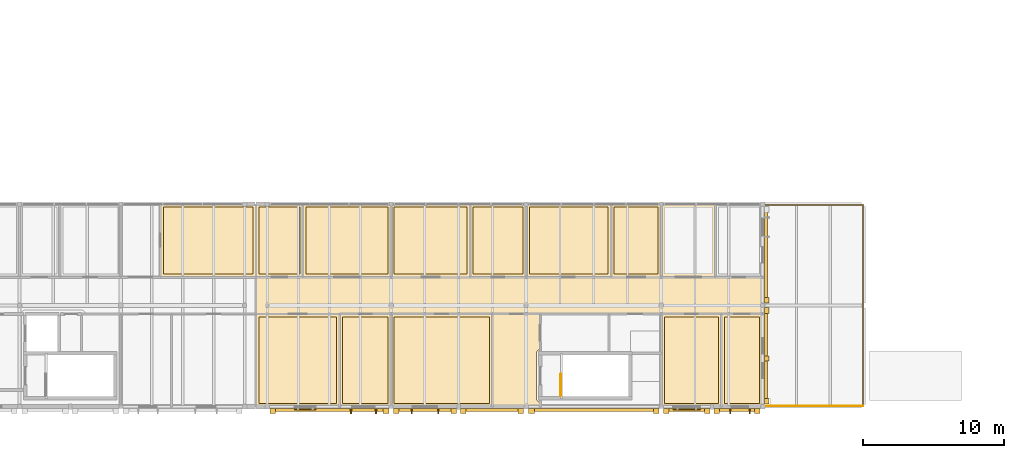
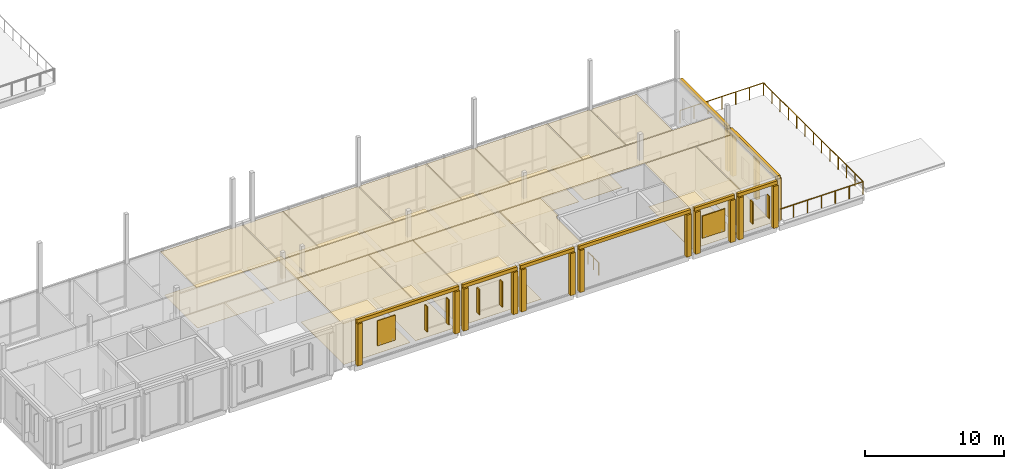
# One storey, part 55 of 57: 51 coverings, 8 shading devices, 3 railings.
"""IFC4 building model written with IfcOpenShell, lengths in metres."""

from ifc_helpers import new_model, si_unit, direction, frame, origin, origin_2d, place, context, subcontext, project, spatial, polyline, rectangle, circle, outline, extrude, material, layer, layer_set, type_object, element, save


model = new_model("IFC4")

# Units and contexts
model_context = context("Model", 3, precision=1e-05, world=origin(), true_north=direction((0.0, 1.0)))
body_context = subcontext(model_context, "Body", "Model", "MODEL_VIEW")
ifc_project = project(units=[si_unit("LENGTHUNIT", "METRE"), si_unit("AREAUNIT", "SQUARE_METRE"), si_unit("VOLUMEUNIT", "CUBIC_METRE"), si_unit("PLANEANGLEUNIT", "RADIAN"), si_unit("MASSUNIT", "GRAM", prefix="KILO")], contexts=[model_context])

# Site, building, storey
site_placement = place(None, origin())
site = spatial("IfcSite", under=ifc_project, at=site_placement, CompositionType="ELEMENT")
building_placement = place(site_placement, origin())
building = spatial("IfcBuilding", under=site, at=building_placement, Name="Hawrajan Terrace Health Centre", CompositionType="ELEMENT")
storey_placement = place(building_placement, frame((0.0, 0.0, 13.199951171875)))
storey = spatial("IfcBuildingStorey", under=building, at=storey_placement, Name="L03", CompositionType="ELEMENT", Elevation=13.199951171875)

# Coverings
ifc_material_1 = material(Name="Precast concrete C40/50", Category="concrete")
ifc_layer_1 = layer(ifc_material_1, 0.219970703125)
ifc_layer_set_1 = layer_set([ifc_layer_1], Name="Precast concrete C40/50")
covering_type_1 = type_object("IfcCoveringType", Name="ArtDecoCorniceBand", PredefinedType="CLADDING", material=ifc_layer_set_1)
covering_1_placement = place(storey_placement, frame((77.010009765625, 3.965087890625, 3.68994140625), z_axis=(0.0, 0.0, 1.0), x_axis=(1.0, 0.0, 0.0)))
element("IfcCovering", 1, at=covering_1_placement, inside=storey, type_object=covering_type_1, Name="Art Deco limestone cornice band CRN-L03-0182", PredefinedType="CLADDING", context=body_context, shape_type="SweptSolid", body=[
    extrude(rectangle(XDim=8.4599609375, YDim=0.219970703125, at=origin_2d()), origin(), (0.0, 0.0, 1.0), 0.300048828125),
])
covering_2_placement = place(storey_placement, frame((83.81005859375, 3.965087890625, 3.68994140625), z_axis=(0.0, 0.0, 1.0), x_axis=(1.0, 0.0, 0.0)))
element("IfcCovering", 2, at=covering_2_placement, inside=storey, type_object=covering_type_1, Name="Art Deco limestone cornice band CRN-L03-0183", PredefinedType="CLADDING", context=body_context, shape_type="SweptSolid", body=[
    extrude(rectangle(XDim=4.5, YDim=0.219970703125, at=origin_2d()), origin(), (0.0, 0.0, 1.0), 0.300048828125),
])
covering_3_placement = place(storey_placement, frame((88.580078125, 3.965087890625, 3.68994140625), z_axis=(0.0, 0.0, 1.0), x_axis=(1.0, 0.0, 0.0)))
element("IfcCovering", 3, at=covering_3_placement, inside=storey, type_object=covering_type_1, Name="Art Deco limestone cornice band CRN-L03-0184", PredefinedType="CLADDING", context=body_context, shape_type="SweptSolid", body=[
    extrude(rectangle(XDim=4.47998046875, YDim=0.219970703125, at=origin_2d()), origin(), (0.0, 0.0, 1.0), 0.300048828125),
])
covering_4_placement = place(storey_placement, frame((95.81005859375, 3.965087890625, 3.68994140625), z_axis=(0.0, 0.0, 1.0), x_axis=(1.0, 0.0, 0.0)))
element("IfcCovering", 4, at=covering_4_placement, inside=storey, type_object=covering_type_1, Name="Art Deco limestone cornice band CRN-L03-0185", PredefinedType="CLADDING", context=body_context, shape_type="SweptSolid", body=[
    extrude(rectangle(XDim=9.260009765625, YDim=0.219970703125, at=origin_2d()), origin(), (0.0, 0.0, 1.0), 0.300048828125),
])
covering_5_placement = place(storey_placement, frame((102.409912109375, 3.965087890625, 3.68994140625), z_axis=(0.0, 0.0, 1.0), x_axis=(1.0, 0.0, 0.0)))
element("IfcCovering", 5, at=covering_5_placement, inside=storey, type_object=covering_type_1, Name="Art Deco limestone cornice band CRN-L03-0186", PredefinedType="CLADDING", context=body_context, shape_type="SweptSolid", body=[
    extrude(rectangle(XDim=3.300048828125, YDim=0.219970703125, at=origin_2d()), origin(), (0.0, 0.0, 1.0), 0.300048828125),
])
covering_6_placement = place(storey_placement, frame((105.97998046875, 3.965087890625, 3.68994140625), z_axis=(0.0, 0.0, 1.0), x_axis=(1.0, 0.0, 0.0)))
element("IfcCovering", 6, at=covering_6_placement, inside=storey, type_object=covering_type_1, Name="Art Deco limestone cornice band CRN-L03-0187", PredefinedType="CLADDING", context=body_context, shape_type="SweptSolid", body=[
    extrude(rectangle(XDim=3.280029296875, YDim=0.219970703125, at=origin_2d()), origin(), (0.0, 0.0, 1.0), 0.300048828125),
])
for number, where, z_axis, x_axis, name in (
    (7, (108.034912109375, 7.81005859375, 3.68994140625), (0.0, 0.0, 1.0), (0.0, 1.0, 0.0), "Art Deco limestone cornice band CRN-L03-0188"),
    (8, (108.034912109375, 14.989990234375, 3.68994140625), (0.0, 0.0, 1.0), (0.0, 1.0, 0.0), "Art Deco limestone cornice band CRN-L03-0189"),
):
    element("IfcCovering", number, at=place(storey_placement, frame(where, z_axis=z_axis, x_axis=x_axis)), inside=storey, type_object=covering_type_1, Name=name, PredefinedType="CLADDING", context=body_context, shape_type="SweptSolid", body=[
        extrude(rectangle(XDim=6.860107421875, YDim=0.219970703125, at=origin_2d()), origin(), (0.0, 0.0, 1.0), 0.300048828125),
    ])
ifc_layer_2 = layer(ifc_material_1, 0.340087890625)
ifc_layer_set_2 = layer_set([ifc_layer_2], Name="Precast concrete C40/50")
covering_type_2 = type_object("IfcCoveringType", Name="ArtDecoStonePilaster", PredefinedType="CLADDING", material=ifc_layer_set_2)
for number, where, z_axis, x_axis, name in (
    (9, (72.97998046875, 3.905029296875, 0.0), (0.0, 0.0, 1.0), (1.0, 0.0, 0.0), "Art Deco fluted limestone pilaster FPIL-L03-0362"),
    (10, (81.0400390625, 3.905029296875, 0.0), (0.0, 0.0, 1.0), (1.0, 0.0, 0.0), "Art Deco fluted limestone pilaster FPIL-L03-0363"),
    (11, (81.760009765625, 3.905029296875, 0.0), (0.0, 0.0, 1.0), (1.0, 0.0, 0.0), "Art Deco fluted limestone pilaster FPIL-L03-0364"),
    (12, (85.860107421875, 3.905029296875, 0.0), (0.0, 0.0, 1.0), (1.0, 0.0, 0.0), "Art Deco fluted limestone pilaster FPIL-L03-0365"),
    (13, (86.5400390625, 3.905029296875, 0.0), (0.0, 0.0, 1.0), (1.0, 0.0, 0.0), "Art Deco fluted limestone pilaster FPIL-L03-0366"),
    (14, (90.6201171875, 3.905029296875, 0.0), (0.0, 0.0, 1.0), (1.0, 0.0, 0.0), "Art Deco fluted limestone pilaster FPIL-L03-0367"),
    (15, (91.3798828125, 3.905029296875, 0.0), (0.0, 0.0, 1.0), (1.0, 0.0, 0.0), "Art Deco fluted limestone pilaster FPIL-L03-0368"),
    (16, (100.239990234375, 3.905029296875, 0.0), (0.0, 0.0, 1.0), (1.0, 0.0, 0.0), "Art Deco fluted limestone pilaster FPIL-L03-0369"),
    (17, (100.9599609375, 3.905029296875, 0.0), (0.0, 0.0, 1.0), (1.0, 0.0, 0.0), "Art Deco fluted limestone pilaster FPIL-L03-0370"),
    (18, (103.860107421875, 3.905029296875, 0.0), (0.0, 0.0, 1.0), (1.0, 0.0, 0.0), "Art Deco fluted limestone pilaster FPIL-L03-0371"),
    (19, (104.5400390625, 3.905029296875, 0.0), (0.0, 0.0, 1.0), (1.0, 0.0, 0.0), "Art Deco fluted limestone pilaster FPIL-L03-0372"),
    (20, (107.419921875, 3.905029296875, 0.0), (0.0, 0.0, 1.0), (1.0, 0.0, 0.0), "Art Deco fluted limestone pilaster FPIL-L03-0373"),
    (21, (108.094970703125, 4.580078125, 0.0), (0.0, 0.0, 1.0), (0.0, 1.0, 0.0), "Art Deco fluted limestone pilaster FPIL-L03-0374"),
    (22, (108.094970703125, 11.0400390625, 0.0), (0.0, 0.0, 1.0), (0.0, 1.0, 0.0), "Art Deco fluted limestone pilaster FPIL-L03-0375"),
):
    element("IfcCovering", number, at=place(storey_placement, frame(where, z_axis=z_axis, x_axis=x_axis)), inside=storey, type_object=covering_type_2, Name=name, PredefinedType="CLADDING", context=body_context, shape_type="SweptSolid", body=[
        extrude(rectangle(XDim=0.39990234375, YDim=0.340087890625, at=origin_2d()), origin(), (0.0, 0.0, 1.0), 3.679931640625),
    ])
covering_7_placement = place(storey_placement, frame((108.094970703125, 7.639892578125, 0.0), z_axis=(0.0, 0.0, 1.0), x_axis=(0.0, 1.0, 0.0)))
element("IfcCovering", 23, at=covering_7_placement, inside=storey, type_object=covering_type_2, Name="Art Deco mullion pilaster FPIL-L03-0376", PredefinedType="CLADDING", context=body_context, shape_type="SweptSolid", body=[
    extrude(rectangle(XDim=0.360107421875, YDim=0.340087890625, at=origin_2d()), origin(), (0.0, 0.0, 1.0), 3.679931640625),
])
covering_8_placement = place(storey_placement, frame((108.094970703125, 11.760009765625, 0.0), z_axis=(0.0, 0.0, 1.0), x_axis=(0.0, 1.0, 0.0)))
element("IfcCovering", 24, at=covering_8_placement, inside=storey, type_object=covering_type_2, Name="Art Deco fluted limestone pilaster FPIL-L03-0377", PredefinedType="CLADDING", context=body_context, shape_type="SweptSolid", body=[
    extrude(rectangle(XDim=0.39990234375, YDim=0.340087890625, at=origin_2d()), origin(), (0.0, 0.0, 1.0), 3.679931640625),
])
ifc_material_2 = material(Name="Hygienic mineral-fibre acoustic tile ceiling")
ifc_layer_3 = layer(ifc_material_2, 0.02490234375)
ifc_layer_set_3 = layer_set([ifc_layer_3], Name="Hygienic mineral-fibre acoustic tile ceiling")
covering_type_3 = type_object("IfcCoveringType", Name="ClinicalAcousticCeiling_25", PredefinedType="CEILING", material=ifc_layer_set_3)
covering_9_placement = place(storey_placement, frame((0.0, 0.0, 3.72509765625)))
element("IfcCovering", 25, at=covering_9_placement, inside=storey, type_object=covering_type_3, Name="Suspended ceiling L03-020", PredefinedType="CEILING", context=body_context, shape_type="SweptSolid", body=[
    extrude(outline(polyline([(71.824951171875, 13.3798828125), (107.780029296875, 13.3798828125), (107.780029296875, 10.820068359375), (71.824951171875, 10.820068359375), (71.824951171875, 13.3798828125)])), origin(), (0.0, 0.0, 1.0), 0.02490234375),
])
covering_10_placement = place(storey_placement, frame((0.0, 0.0, 3.72509765625)))
element("IfcCovering", 26, at=covering_10_placement, inside=storey, type_object=covering_type_3, Name="Suspended ceiling L03-021", PredefinedType="CEILING", context=body_context, shape_type="SweptSolid", body=[
    extrude(outline(polyline([(91.97998046875, 4.219970703125), (88.6201171875, 4.219970703125), (88.6201171875, 10.780029296875), (91.97998046875, 10.780029296875), (91.97998046875, 8.26904296875), (91.974609375, 8.268798828125), (91.97265625, 8.2685546875), (91.9482421875, 8.264892578125), (91.9462890625, 8.2646484375), (91.922607421875, 8.258544921875), (91.920654296875, 8.258056640625), (91.897705078125, 8.249755859375), (91.895751953125, 8.2490234375), (91.87353515625, 8.238525390625), (91.871826171875, 8.237548828125), (91.850830078125, 8.22509765625), (91.84912109375, 8.223876953125), (91.82958984375, 8.209228515625), (91.827880859375, 8.2080078125), (91.809814453125, 8.191650390625), (91.808349609375, 8.190185546875), (91.7919921875, 8.172119140625), (91.790771484375, 8.17041015625), (91.776123046875, 8.15087890625), (91.77490234375, 8.149169921875), (91.762451171875, 8.128173828125), (91.761474609375, 8.12646484375), (91.7509765625, 8.104248046875), (91.750244140625, 8.102294921875), (91.741943359375, 8.079345703125), (91.741455078125, 8.077392578125), (91.7353515625, 8.0537109375), (91.735107421875, 8.0517578125), (91.7314453125, 8.02734375), (91.731201171875, 8.025390625), (91.72998046875, 8.0009765625), (91.72998046875, 8.0), (91.72998046875, 4.800048828125), (91.72998046875, 4.799072265625), (91.731201171875, 4.7744140625), (91.7314453125, 4.772705078125), (91.735107421875, 4.748291015625), (91.7353515625, 4.746337890625), (91.741455078125, 4.72265625), (91.741943359375, 4.720703125), (91.750244140625, 4.697509765625), (91.7509765625, 4.69580078125), (91.761474609375, 4.673583984375), (91.762451171875, 4.671875), (91.77490234375, 4.65087890625), (91.776123046875, 4.649169921875), (91.790771484375, 4.62939453125), (91.7919921875, 4.6279296875), (91.808349609375, 4.60986328125), (91.809814453125, 4.6083984375), (91.827880859375, 4.591796875), (91.82958984375, 4.5908203125), (91.84912109375, 4.576171875), (91.850830078125, 4.574951171875), (91.871826171875, 4.5625), (91.87353515625, 4.561279296875), (91.895751953125, 4.551025390625), (91.897705078125, 4.55029296875), (91.920654296875, 4.5419921875), (91.922607421875, 4.54150390625), (91.9462890625, 4.535400390625), (91.9482421875, 4.534912109375), (91.97265625, 4.531494140625), (91.974609375, 4.53125), (91.97998046875, 4.531005859375), (91.97998046875, 4.219970703125)])), origin(), (0.0, 0.0, 1.0), 0.02490234375),
])
covering_11_placement = place(storey_placement, frame((0.0, 0.0, 3.72509765625)))
element("IfcCovering", 27, at=covering_11_placement, inside=storey, type_object=covering_type_3, Name="Suspended ceiling L03-060", PredefinedType="CEILING", context=body_context, shape_type="SweptSolid", body=[
    extrude(outline(polyline([(65.02001953125, 18.580078125), (71.77490234375, 18.580078125), (71.77490234375, 13.419921875), (65.02001953125, 13.419921875), (65.02001953125, 18.580078125)])), origin(), (0.0, 0.0, 1.0), 0.02490234375),
])
covering_12_placement = place(storey_placement, frame((0.0, 0.0, 3.72509765625)))
element("IfcCovering", 28, at=covering_12_placement, inside=storey, type_object=covering_type_3, Name="Suspended ceiling L03-061", PredefinedType="CEILING", context=body_context, shape_type="SweptSolid", body=[
    extrude(outline(polyline([(71.824951171875, 10.780029296875), (77.724365234375, 10.780029296875), (77.724365234375, 4.219970703125), (71.824951171875, 4.219970703125), (71.824951171875, 10.780029296875)])), origin(), (0.0, 0.0, 1.0), 0.02490234375),
])
covering_13_placement = place(storey_placement, frame((0.0, 0.0, 3.72509765625)))
element("IfcCovering", 29, at=covering_13_placement, inside=storey, type_object=covering_type_3, Name="Suspended ceiling L03-062", PredefinedType="CEILING", context=body_context, shape_type="SweptSolid", body=[
    extrude(outline(polyline([(77.764404296875, 10.780029296875), (81.3798828125, 10.780029296875), (81.3798828125, 4.219970703125), (77.764404296875, 4.219970703125), (77.764404296875, 10.780029296875)])), origin(), (0.0, 0.0, 1.0), 0.02490234375),
])
covering_14_placement = place(storey_placement, frame((0.0, 0.0, 3.72509765625)))
element("IfcCovering", 30, at=covering_14_placement, inside=storey, type_object=covering_type_3, Name="Suspended ceiling L03-063", PredefinedType="CEILING", context=body_context, shape_type="SweptSolid", body=[
    extrude(outline(polyline([(71.824951171875, 18.580078125), (75.114501953125, 18.580078125), (75.114501953125, 13.419921875), (71.824951171875, 13.419921875), (71.824951171875, 18.580078125)])), origin(), (0.0, 0.0, 1.0), 0.02490234375),
])
covering_15_placement = place(storey_placement, frame((0.0, 0.0, 3.72509765625)))
element("IfcCovering", 31, at=covering_15_placement, inside=storey, type_object=covering_type_3, Name="Suspended ceiling L03-064", PredefinedType="CEILING", context=body_context, shape_type="SweptSolid", body=[
    extrude(outline(polyline([(75.154541015625, 18.580078125), (81.3798828125, 18.580078125), (81.3798828125, 13.419921875), (75.154541015625, 13.419921875), (75.154541015625, 18.580078125)])), origin(), (0.0, 0.0, 1.0), 0.02490234375),
])
covering_16_placement = place(storey_placement, frame((0.0, 0.0, 3.72509765625)))
element("IfcCovering", 32, at=covering_16_placement, inside=storey, type_object=covering_type_3, Name="Suspended ceiling L03-065", PredefinedType="CEILING", context=body_context, shape_type="SweptSolid", body=[
    extrude(outline(polyline([(81.419921875, 10.780029296875), (88.580078125, 10.780029296875), (88.580078125, 4.219970703125), (81.419921875, 4.219970703125), (81.419921875, 10.780029296875)])), origin(), (0.0, 0.0, 1.0), 0.02490234375),
])
covering_17_placement = place(storey_placement, frame((0.0, 0.0, 3.72509765625)))
element("IfcCovering", 33, at=covering_17_placement, inside=storey, type_object=covering_type_3, Name="Suspended ceiling L03-066", PredefinedType="CEILING", context=body_context, shape_type="SweptSolid", body=[
    extrude(outline(polyline([(81.419921875, 18.580078125), (86.99609375, 18.580078125), (86.99609375, 13.419921875), (81.419921875, 13.419921875), (81.419921875, 18.580078125)])), origin(), (0.0, 0.0, 1.0), 0.02490234375),
])
covering_18_placement = place(storey_placement, frame((0.0, 0.0, 3.72509765625)))
element("IfcCovering", 34, at=covering_18_placement, inside=storey, type_object=covering_type_3, Name="Suspended ceiling L03-067", PredefinedType="CEILING", context=body_context, shape_type="SweptSolid", body=[
    extrude(outline(polyline([(87.035888671875, 18.580078125), (90.97998046875, 18.580078125), (90.97998046875, 13.419921875), (87.035888671875, 13.419921875), (87.035888671875, 18.580078125)])), origin(), (0.0, 0.0, 1.0), 0.02490234375),
])
covering_19_placement = place(storey_placement, frame((0.0, 0.0, 3.72509765625)))
element("IfcCovering", 35, at=covering_19_placement, inside=storey, type_object=covering_type_3, Name="Suspended ceiling L03-070", PredefinedType="CEILING", context=body_context, shape_type="SweptSolid", body=[
    extrude(outline(polyline([(91.02001953125, 18.580078125), (97.0087890625, 18.580078125), (97.0087890625, 13.419921875), (91.02001953125, 13.419921875), (91.02001953125, 18.580078125)])), origin(), (0.0, 0.0, 1.0), 0.02490234375),
])
covering_20_placement = place(storey_placement, frame((0.0, 0.0, 3.72509765625)))
element("IfcCovering", 36, at=covering_20_placement, inside=storey, type_object=covering_type_3, Name="Suspended ceiling L03-071", PredefinedType="CEILING", context=body_context, shape_type="SweptSolid", body=[
    extrude(outline(polyline([(97.048828125, 18.580078125), (100.580078125, 18.580078125), (100.580078125, 13.419921875), (97.048828125, 13.419921875), (97.048828125, 18.580078125)])), origin(), (0.0, 0.0, 1.0), 0.02490234375),
])
covering_21_placement = place(storey_placement, frame((0.0, 0.0, 3.72509765625)))
element("IfcCovering", 37, at=covering_21_placement, inside=storey, type_object=covering_type_3, Name="Suspended ceiling L03-072", PredefinedType="CEILING", context=body_context, shape_type="SweptSolid", body=[
    extrude(outline(polyline([(100.6201171875, 10.780029296875), (104.849609375, 10.780029296875), (104.849609375, 4.219970703125), (100.6201171875, 4.219970703125), (100.6201171875, 10.780029296875)])), origin(), (0.0, 0.0, 1.0), 0.02490234375),
])
covering_22_placement = place(storey_placement, frame((0.0, 0.0, 3.72509765625)))
element("IfcCovering", 38, at=covering_22_placement, inside=storey, type_object=covering_type_3, Name="Suspended ceiling L03-073", PredefinedType="CEILING", context=body_context, shape_type="SweptSolid", body=[
    extrude(outline(polyline([(104.8896484375, 10.780029296875), (107.780029296875, 10.780029296875), (107.780029296875, 4.219970703125), (104.8896484375, 4.219970703125), (104.8896484375, 10.780029296875)])), origin(), (0.0, 0.0, 1.0), 0.02490234375),
])
covering_23_placement = place(storey_placement, frame((0.0, 0.0, 3.72509765625)))
element("IfcCovering", 39, at=covering_23_placement, inside=storey, type_object=covering_type_3, Name="Suspended ceiling L03-074", PredefinedType="CEILING", context=body_context, shape_type="SweptSolid", body=[
    extrude(outline(polyline([(100.6201171875, 18.580078125), (104.4248046875, 18.580078125), (104.4248046875, 13.419921875), (100.6201171875, 13.419921875), (100.6201171875, 18.580078125)])), origin(), (0.0, 0.0, 1.0), 0.02490234375),
])
ifc_material_3 = material(Name="Seamless medical-grade cushioned vinyl flooring")
ifc_layer_4 = layer(ifc_material_3, 0.011962890625)
ifc_layer_set_4 = layer_set([ifc_layer_4], Name="Seamless medical-grade cushioned vinyl flooring")
covering_type_4 = type_object("IfcCoveringType", Name="ClinicalVinylFlooring_12", PredefinedType="FLOORING", material=ifc_layer_set_4)
covering_24_placement = place(storey_placement, origin())
element("IfcCovering", 40, at=covering_24_placement, inside=storey, type_object=covering_type_4, Name="Floor finish L03-060", PredefinedType="FLOORING", context=body_context, shape_type="SweptSolid", body=[
    extrude(outline(polyline([(65.219970703125, 18.3798828125), (71.574951171875, 18.3798828125), (71.574951171875, 13.6201171875), (65.219970703125, 13.6201171875), (65.219970703125, 18.3798828125)])), origin(), (0.0, 0.0, 1.0), 0.011962890625),
])
covering_25_placement = place(storey_placement, origin())
element("IfcCovering", 41, at=covering_25_placement, inside=storey, type_object=covering_type_4, Name="Floor finish L03-061", PredefinedType="FLOORING", context=body_context, shape_type="SweptSolid", body=[
    extrude(outline(polyline([(72.02490234375, 10.580078125), (77.5244140625, 10.580078125), (77.5244140625, 4.419921875), (72.02490234375, 4.419921875), (72.02490234375, 10.580078125)])), origin(), (0.0, 0.0, 1.0), 0.011962890625),
])
covering_26_placement = place(storey_placement, origin())
element("IfcCovering", 42, at=covering_26_placement, inside=storey, type_object=covering_type_4, Name="Floor finish L03-062", PredefinedType="FLOORING", context=body_context, shape_type="SweptSolid", body=[
    extrude(outline(polyline([(77.96435546875, 10.580078125), (81.179931640625, 10.580078125), (81.179931640625, 4.419921875), (77.96435546875, 4.419921875), (77.96435546875, 10.580078125)])), origin(), (0.0, 0.0, 1.0), 0.011962890625),
])
covering_27_placement = place(storey_placement, origin())
element("IfcCovering", 43, at=covering_27_placement, inside=storey, type_object=covering_type_4, Name="Floor finish L03-063", PredefinedType="FLOORING", context=body_context, shape_type="SweptSolid", body=[
    extrude(outline(polyline([(72.02490234375, 18.3798828125), (74.91455078125, 18.3798828125), (74.91455078125, 13.6201171875), (72.02490234375, 13.6201171875), (72.02490234375, 18.3798828125)])), origin(), (0.0, 0.0, 1.0), 0.011962890625),
])
covering_28_placement = place(storey_placement, origin())
element("IfcCovering", 44, at=covering_28_placement, inside=storey, type_object=covering_type_4, Name="Floor finish L03-064", PredefinedType="FLOORING", context=body_context, shape_type="SweptSolid", body=[
    extrude(outline(polyline([(75.3544921875, 18.3798828125), (81.179931640625, 18.3798828125), (81.179931640625, 13.6201171875), (75.3544921875, 13.6201171875), (75.3544921875, 18.3798828125)])), origin(), (0.0, 0.0, 1.0), 0.011962890625),
])
covering_29_placement = place(storey_placement, origin())
element("IfcCovering", 45, at=covering_29_placement, inside=storey, type_object=covering_type_4, Name="Floor finish L03-065", PredefinedType="FLOORING", context=body_context, shape_type="SweptSolid", body=[
    extrude(outline(polyline([(81.6201171875, 10.580078125), (88.3798828125, 10.580078125), (88.3798828125, 4.419921875), (81.6201171875, 4.419921875), (81.6201171875, 10.580078125)])), origin(), (0.0, 0.0, 1.0), 0.011962890625),
])
covering_30_placement = place(storey_placement, origin())
element("IfcCovering", 46, at=covering_30_placement, inside=storey, type_object=covering_type_4, Name="Floor finish L03-066", PredefinedType="FLOORING", context=body_context, shape_type="SweptSolid", body=[
    extrude(outline(polyline([(81.6201171875, 18.3798828125), (86.7958984375, 18.3798828125), (86.7958984375, 13.6201171875), (81.6201171875, 13.6201171875), (81.6201171875, 18.3798828125)])), origin(), (0.0, 0.0, 1.0), 0.011962890625),
])
covering_31_placement = place(storey_placement, origin())
element("IfcCovering", 47, at=covering_31_placement, inside=storey, type_object=covering_type_4, Name="Floor finish L03-067", PredefinedType="FLOORING", context=body_context, shape_type="SweptSolid", body=[
    extrude(outline(polyline([(87.236083984375, 18.3798828125), (90.780029296875, 18.3798828125), (90.780029296875, 13.6201171875), (87.236083984375, 13.6201171875), (87.236083984375, 18.3798828125)])), origin(), (0.0, 0.0, 1.0), 0.011962890625),
])
covering_32_placement = place(storey_placement, origin())
element("IfcCovering", 48, at=covering_32_placement, inside=storey, type_object=covering_type_4, Name="Floor finish L03-070", PredefinedType="FLOORING", context=body_context, shape_type="SweptSolid", body=[
    extrude(outline(polyline([(91.219970703125, 18.3798828125), (96.808837890625, 18.3798828125), (96.808837890625, 13.6201171875), (91.219970703125, 13.6201171875), (91.219970703125, 18.3798828125)])), origin(), (0.0, 0.0, 1.0), 0.011962890625),
])
covering_33_placement = place(storey_placement, origin())
element("IfcCovering", 49, at=covering_33_placement, inside=storey, type_object=covering_type_4, Name="Floor finish L03-071", PredefinedType="FLOORING", context=body_context, shape_type="SweptSolid", body=[
    extrude(outline(polyline([(97.248779296875, 18.3798828125), (100.3798828125, 18.3798828125), (100.3798828125, 13.6201171875), (97.248779296875, 13.6201171875), (97.248779296875, 18.3798828125)])), origin(), (0.0, 0.0, 1.0), 0.011962890625),
])
covering_34_placement = place(storey_placement, origin())
element("IfcCovering", 50, at=covering_34_placement, inside=storey, type_object=covering_type_4, Name="Floor finish L03-072", PredefinedType="FLOORING", context=body_context, shape_type="SweptSolid", body=[
    extrude(outline(polyline([(100.820068359375, 10.580078125), (104.649658203125, 10.580078125), (104.649658203125, 4.419921875), (100.820068359375, 4.419921875), (100.820068359375, 10.580078125)])), origin(), (0.0, 0.0, 1.0), 0.011962890625),
])
covering_35_placement = place(storey_placement, origin())
element("IfcCovering", 51, at=covering_35_placement, inside=storey, type_object=covering_type_4, Name="Floor finish L03-073", PredefinedType="FLOORING", context=body_context, shape_type="SweptSolid", body=[
    extrude(outline(polyline([(105.089599609375, 10.580078125), (107.580078125, 10.580078125), (107.580078125, 4.419921875), (105.089599609375, 4.419921875), (105.089599609375, 10.580078125)])), origin(), (0.0, 0.0, 1.0), 0.011962890625),
])

# Shading devices
ifc_material_4 = material(Name="Anodized bronze mashrabiya vertical solar fin")
ifc_layer_5 = layer(ifc_material_4, 0.080078125)
ifc_layer_set_5 = layer_set([ifc_layer_5], Name="Anodized bronze mashrabiya vertical solar fin")
shading_device_type_1 = type_object("IfcShadingDeviceType", Name="MashrabiyaVerticalFin", PredefinedType="USERDEFINED", material=ifc_layer_set_5)
for number, where, z_axis, x_axis, name in (
    (52, (78.552001953125, 3.89501953125, 1.0), (0.0, 0.0, 1.0), (1.0, 0.0, 0.0), "Bronze mashrabiya solar fin FIN-L03-0235"),
    (53, (80.33203125, 3.89501953125, 1.0), (0.0, 0.0, 1.0), (1.0, 0.0, 0.0), "Bronze mashrabiya solar fin FIN-L03-0236"),
    (54, (82.860107421875, 3.89501953125, 1.0), (0.0, 0.0, 1.0), (1.0, 0.0, 0.0), "Bronze mashrabiya solar fin FIN-L03-0237"),
    (55, (84.760009765625, 3.89501953125, 1.0), (0.0, 0.0, 1.0), (1.0, 0.0, 0.0), "Bronze mashrabiya solar fin FIN-L03-0238"),
):
    element("IfcShadingDevice", number, at=place(storey_placement, frame(where, z_axis=z_axis, x_axis=x_axis)), inside=storey, type_object=shading_device_type_1, Name=name, ObjectType="SOLAR_FIN", PredefinedType="USERDEFINED", context=body_context, shape_type="SweptSolid", body=[
        extrude(rectangle(XDim=0.080078125, YDim=0.360107421875, at=origin_2d()), origin(), (0.0, 0.0, 1.0), 2.199951171875),
    ])
for number, where, z_axis, x_axis, name in (
    (56, (105.5048828125, 3.89501953125, 1.0), (0.0, 0.0, 1.0), (1.0, 0.0, 0.0), "Bronze mashrabiya solar fin FIN-L03-0240"),
    (57, (106.884765625, 3.89501953125, 1.0), (0.0, 0.0, 1.0), (1.0, 0.0, 0.0), "Bronze mashrabiya solar fin FIN-L03-0241"),
):
    element("IfcShadingDevice", number, at=place(storey_placement, frame(where, z_axis=z_axis, x_axis=x_axis)), inside=storey, type_object=shading_device_type_1, Name=name, ObjectType="SOLAR_FIN", PredefinedType="USERDEFINED", context=body_context, shape_type="SweptSolid", body=[
        extrude(rectangle(XDim=0.080078125, YDim=0.360107421875, at=origin_2d()), origin(), (0.0, 0.0, 1.0), 1.949951171875),
    ])
ifc_material_5 = material(Name="Anodized bronze and cedar roshan lattice")
ifc_layer_6 = layer(ifc_material_5, 0.080078125)
ifc_layer_set_6 = layer_set([ifc_layer_6], Name="Anodized bronze and cedar roshan lattice")
shading_device_type_2 = type_object("IfcShadingDeviceType", Name="RoshanScreen_BronzeCedar", PredefinedType="JALOUSIE", material=ifc_layer_set_6)
shading_device_1_placement = place(storey_placement, frame((75.312255859375, 4.030029296875, 1.0), z_axis=(0.0, 0.0, 1.0), x_axis=(1.0, 0.0, 0.0)))
element("IfcShadingDevice", 58, at=shading_device_1_placement, inside=storey, type_object=shading_device_type_2, Name="Hijazi roshan solar screen RSH-L03-234", PredefinedType="JALOUSIE", context=body_context, shape_type="SweptSolid", body=[
    extrude(rectangle(XDim=1.47998046875, YDim=0.080078125, at=origin_2d()), origin(), (0.0, 0.0, 1.0), 2.199951171875),
])
shading_device_2_placement = place(storey_placement, frame((102.409912109375, 4.030029296875, 1.0), z_axis=(0.0, 0.0, 1.0), x_axis=(1.0, 0.0, 0.0)))
element("IfcShadingDevice", 59, at=shading_device_2_placement, inside=storey, type_object=shading_device_type_2, Name="Hijazi roshan solar screen RSH-L03-239", PredefinedType="JALOUSIE", context=body_context, shape_type="SweptSolid", body=[
    extrude(rectangle(XDim=1.89990234375, YDim=0.080078125, at=origin_2d()), origin(), (0.0, 0.0, 1.0), 1.949951171875),
])

# Railings
ifc_material_6 = material(Name="Painted steel stair well guard", Category="steel")
railing_type_1 = type_object("IfcRailingType", Name="StairWellGuard_1120", PredefinedType="GUARDRAIL", material=ifc_material_6)
railing_1_placement = place(storey_placement, frame((93.4599609375, 4.97998046875, 0.0)))
element("IfcRailing", 60, at=railing_1_placement, inside=storey, type_object=railing_type_1, Name="Stair top well guard ST-5", PredefinedType="GUARDRAIL", context=body_context, shape_type="SweptSolid", body=[
    extrude(circle(Radius=0.02392578125, at=origin_2d()), frame((0.0, 0.02880859375, 1.09619140625), z_axis=(0.0, 1.0, 0.0), x_axis=(-1.0, 0.0, 0.0)), (0.0, 0.0, 1.0), 1.50244140625),
    extrude(circle(Radius=0.02099609375, at=origin_2d()), origin(), (0.0, 0.0, 1.0), 1.067138671875),
    extrude(circle(Radius=0.02099609375, at=origin_2d()), frame((0.0, 0.780029296875, 0.0)), (0.0, 0.0, 1.0), 1.067138671875),
    extrude(circle(Radius=0.02099609375, at=origin_2d()), frame((0.0, 1.56005859375, 0.0)), (0.0, 0.0, 1.0), 1.067138671875),
])
ifc_material_7 = material(Name="Anodized bronze post and balustrade guard")
railing_type_2 = type_object("IfcRailingType", Name="TerraceGuard_1120", PredefinedType="GUARDRAIL", material=ifc_material_7)
railing_2_placement = place(storey_placement, frame((114.93994140625, 4.260009765625, 0.0)))
element("IfcRailing", 61, at=railing_2_placement, inside=storey, type_object=railing_type_2, Name="Terrace perimeter guard L03-007", PredefinedType="GUARDRAIL", context=body_context, shape_type="SweptSolid", body=[
    extrude(circle(Radius=0.02392578125, at=origin_2d()), frame((-0.02880859375, 0.0, 1.09619140625), z_axis=(-1.0, 0.0, 0.0), x_axis=(0.0, -1.0, 0.0)), (0.0, 0.0, 1.0), 6.8623046875),
    extrude(circle(Radius=0.02099609375, at=origin_2d()), origin(), (0.0, 0.0, 1.0), 1.067138671875),
    extrude(circle(Radius=0.02099609375, at=origin_2d()), frame((-1.1533203125, 0.0, 0.0)), (0.0, 0.0, 1.0), 1.067138671875),
    extrude(circle(Radius=0.02099609375, at=origin_2d()), frame((-2.306640625, 0.0, 0.0)), (0.0, 0.0, 1.0), 1.067138671875),
    extrude(circle(Radius=0.02099609375, at=origin_2d()), frame((-3.4599609375, 0.0, 0.0)), (0.0, 0.0, 1.0), 1.067138671875),
    extrude(circle(Radius=0.02099609375, at=origin_2d()), frame((-4.61328125, 0.0, 0.0)), (0.0, 0.0, 1.0), 1.067138671875),
    extrude(circle(Radius=0.02099609375, at=origin_2d()), frame((-5.7666015625, 0.0, 0.0)), (0.0, 0.0, 1.0), 1.067138671875),
    extrude(circle(Radius=0.02099609375, at=origin_2d()), frame((-6.919921875, 0.0, 0.0)), (0.0, 0.0, 1.0), 1.067138671875),
])
railing_3_placement = place(storey_placement, frame((108.02001953125, 18.5400390625, 0.0)))
element("IfcRailing", 62, at=railing_3_placement, inside=storey, type_object=railing_type_2, Name="Terrace perimeter guard L03-008", PredefinedType="GUARDRAIL", context=body_context, shape_type="SweptSolid", body=[
    extrude(circle(Radius=0.02392578125, at=origin_2d()), frame((0.02880859375, 0.0, 1.09619140625), z_axis=(1.0, 0.0, 0.0), x_axis=(0.0, 1.0, 0.0)), (0.0, 0.0, 1.0), 6.8623046875),
    extrude(circle(Radius=0.02392578125, at=origin_2d()), frame((6.919921875, -0.02880859375, 1.09619140625), z_axis=(0.0, -1.0, 0.0), x_axis=(1.0, 0.0, 0.0)), (0.0, 0.0, 1.0), 14.222412109375),
    extrude(circle(Radius=0.02099609375, at=origin_2d()), origin(), (0.0, 0.0, 1.0), 1.067138671875),
    extrude(circle(Radius=0.02099609375, at=origin_2d()), frame((1.1533203125, 0.0, 0.0)), (0.0, 0.0, 1.0), 1.067138671875),
    extrude(circle(Radius=0.02099609375, at=origin_2d()), frame((2.306640625, 0.0, 0.0)), (0.0, 0.0, 1.0), 1.067138671875),
    extrude(circle(Radius=0.02099609375, at=origin_2d()), frame((3.4599609375, 0.0, 0.0)), (0.0, 0.0, 1.0), 1.067138671875),
    extrude(circle(Radius=0.02099609375, at=origin_2d()), frame((4.61328125, 0.0, 0.0)), (0.0, 0.0, 1.0), 1.067138671875),
    extrude(circle(Radius=0.02099609375, at=origin_2d()), frame((5.7666015625, 0.0, 0.0)), (0.0, 0.0, 1.0), 1.067138671875),
    extrude(circle(Radius=0.02099609375, at=origin_2d()), frame((6.919921875, 0.0, 0.0)), (0.0, 0.0, 1.0), 1.067138671875),
    extrude(circle(Radius=0.02099609375, at=origin_2d()), frame((6.919921875, -1.18994140625, 0.0)), (0.0, 0.0, 1.0), 1.067138671875),
    extrude(circle(Radius=0.02099609375, at=origin_2d()), frame((6.919921875, -2.3798828125, 0.0)), (0.0, 0.0, 1.0), 1.067138671875),
    extrude(circle(Radius=0.02099609375, at=origin_2d()), frame((6.919921875, -3.570068359375, 0.0)), (0.0, 0.0, 1.0), 1.067138671875),
    extrude(circle(Radius=0.02099609375, at=origin_2d()), frame((6.919921875, -4.760009765625, 0.0)), (0.0, 0.0, 1.0), 1.067138671875),
    extrude(circle(Radius=0.02099609375, at=origin_2d()), frame((6.919921875, -5.949951171875, 0.0)), (0.0, 0.0, 1.0), 1.067138671875),
    extrude(circle(Radius=0.02099609375, at=origin_2d()), frame((6.919921875, -7.14013671875, 0.0)), (0.0, 0.0, 1.0), 1.067138671875),
    extrude(circle(Radius=0.02099609375, at=origin_2d()), frame((6.919921875, -8.330078125, 0.0)), (0.0, 0.0, 1.0), 1.067138671875),
    extrude(circle(Radius=0.02099609375, at=origin_2d()), frame((6.919921875, -9.52001953125, 0.0)), (0.0, 0.0, 1.0), 1.067138671875),
    extrude(circle(Radius=0.02099609375, at=origin_2d()), frame((6.919921875, -10.7099609375, 0.0)), (0.0, 0.0, 1.0), 1.067138671875),
    extrude(circle(Radius=0.02099609375, at=origin_2d()), frame((6.919921875, -11.89990234375, 0.0)), (0.0, 0.0, 1.0), 1.067138671875),
    extrude(circle(Radius=0.02099609375, at=origin_2d()), frame((6.919921875, -13.090087890625, 0.0)), (0.0, 0.0, 1.0), 1.067138671875),
    extrude(circle(Radius=0.02099609375, at=origin_2d()), frame((6.919921875, -14.280029296875, 0.0)), (0.0, 0.0, 1.0), 1.067138671875),
])

save(model, "model.ifc")
